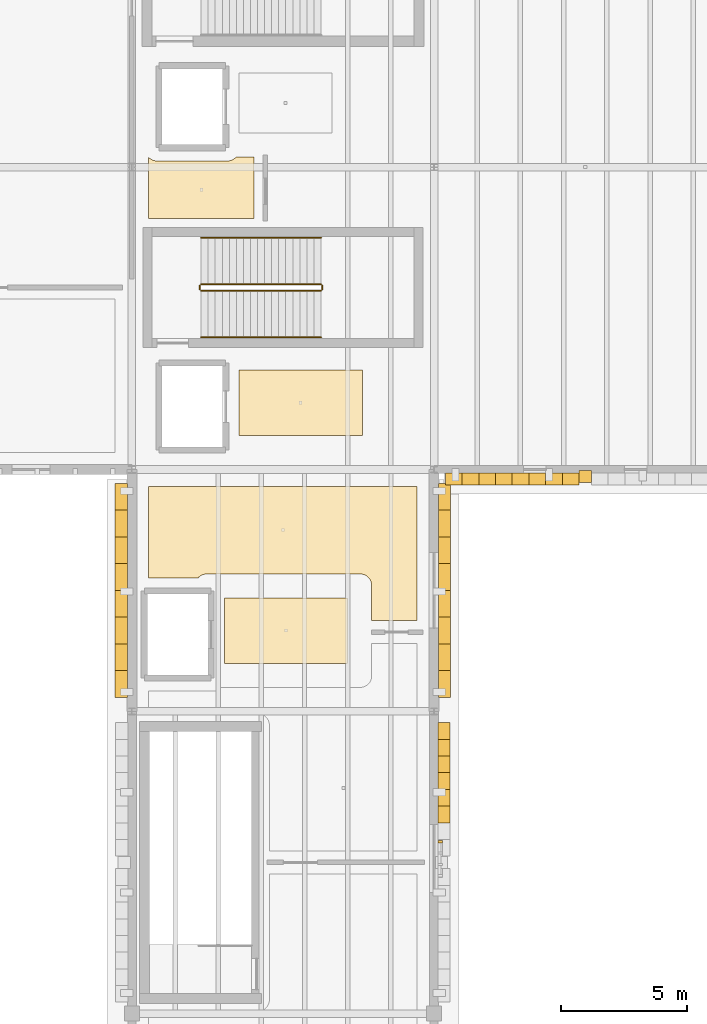
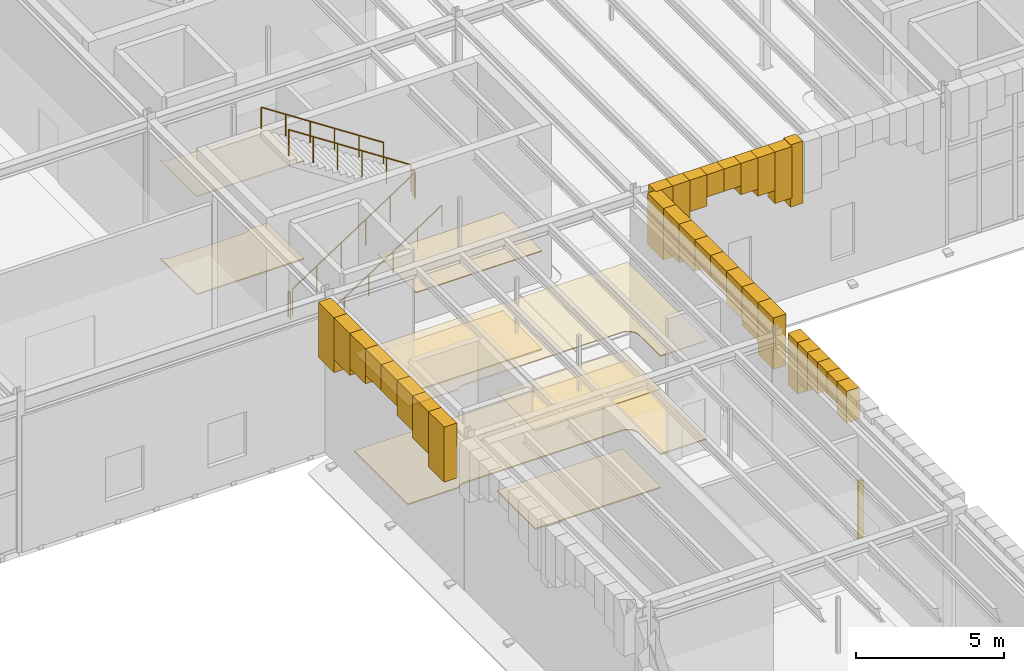
# One storey, part 57 of 62: 40 coverings, 6 railings.
"""IFC4 building model written with IfcOpenShell, lengths in metres."""

from ifc_helpers import new_model, si_unit, direction, frame, origin, origin_2d, place, context, subcontext, project, spatial, polyline, circle, outline, extrude, material, layer, layer_set, type_object, element, save


model = new_model("IFC4")

# Units and contexts
model_context = context("Model", 3, precision=1e-05, world=origin(), true_north=direction((0.0, 1.0)))
body_context = subcontext(model_context, "Body", "Model", "MODEL_VIEW")
ifc_project = project(units=[si_unit("LENGTHUNIT", "METRE"), si_unit("AREAUNIT", "SQUARE_METRE"), si_unit("VOLUMEUNIT", "CUBIC_METRE"), si_unit("PLANEANGLEUNIT", "RADIAN"), si_unit("MASSUNIT", "GRAM", prefix="KILO")], contexts=[model_context])

# Site, building, storey
site_placement = place(None, origin())
site = spatial("IfcSite", under=ifc_project, at=site_placement, CompositionType="ELEMENT")
building_placement = place(site_placement, origin())
building = spatial("IfcBuilding", under=site, at=building_placement, Name="Zlatogorsky Bluff Art Gallery", CompositionType="ELEMENT")
storey_placement = place(building_placement, frame((0.0, 0.0, 16.800048828125)))
storey = spatial("IfcBuildingStorey", under=building, at=storey_placement, Name="L03", CompositionType="ELEMENT", Elevation=16.800048828125)

# Coverings
ifc_material_1 = material(Name="Perforated Gypsum Acoustic Board", Category="gypsum")
ifc_layer_1 = layer(ifc_material_1, 0.0400390625)
ifc_layer_set_1 = layer_set([ifc_layer_1], Name="Acoustic Gallery Ceiling CLG-01")
covering_type_1 = type_object("IfcCoveringType", Name="Acoustic Gallery Ceiling CLG-01", PredefinedType="CEILING", material=ifc_layer_set_1)
covering_1_placement = place(storey_placement, frame((0.0, 0.0, 4.050048828125)))
element("IfcCovering", 1, at=covering_1_placement, inside=storey, type_object=covering_type_1, Name="Firefighting Lift Lobby FL-1 acoustic ceiling", PredefinedType="CEILING", context=body_context, shape_type="SweptSolid", body=[
    extrude(outline(polyline([(128.570068359375, 78.89990234375), (128.570068359375, 76.300048828125), (123.669921875, 76.300048828125), (123.669921875, 78.89990234375), (128.570068359375, 78.89990234375)])), origin(), (0.0, 0.0, 1.0), 0.039794921875),
])
covering_2_placement = place(storey_placement, frame((0.0, 0.0, 4.050048828125)))
element("IfcCovering", 2, at=covering_2_placement, inside=storey, type_object=covering_type_1, Name="Firefighting Lift Lobby FL-2 acoustic ceiling", PredefinedType="CEILING", context=body_context, shape_type="SweptSolid", body=[
    extrude(outline(polyline([(129.14990234375, 87.949951171875), (129.14990234375, 85.35009765625), (124.25, 85.35009765625), (124.25, 87.949951171875), (129.14990234375, 87.949951171875)])), origin(), (0.0, 0.0, 1.0), 0.039794921875),
])
covering_3_placement = place(storey_placement, frame((0.0, 0.0, 4.050048828125)))
element("IfcCovering", 3, at=covering_3_placement, inside=storey, type_object=covering_type_1, Name="Curatorial Archive Reading Room acoustic ceiling", PredefinedType="CEILING", context=body_context, shape_type="SweptSolid", body=[
    extrude(outline(polyline([(120.669921875, 83.330078125), (131.330078125, 83.330078125), (131.330078125, 77.9951171875), (129.52001953125, 77.9951171875), (129.52001953125, 79.39990234375), (129.517822265625, 79.444091796875), (129.511474609375, 79.48779296875), (129.50048828125, 79.530517578125), (129.485595703125, 79.572265625), (129.466796875, 79.612060546875), (129.444091796875, 79.64990234375), (129.41796875, 79.685546875), (129.38818359375, 79.71826171875), (129.35546875, 79.747802734375), (129.320068359375, 79.774169921875), (129.281982421875, 79.796875), (129.2421875, 79.815673828125), (129.20068359375, 79.83056640625), (129.15771484375, 79.84130859375), (129.114013671875, 79.847900390625), (129.070068359375, 79.85009765625), (122.969970703125, 79.85009765625), (122.92578125, 79.847900390625), (122.882080078125, 79.84130859375), (122.83935546875, 79.83056640625), (122.7978515625, 79.815673828125), (122.7578125, 79.796875), (122.719970703125, 79.774169921875), (122.6845703125, 79.747802734375), (122.65185546875, 79.71826171875), (122.63525390625, 79.699951171875), (120.669921875, 79.699951171875), (120.669921875, 83.330078125)])), origin(), (0.0, 0.0, 1.0), 0.039794921875),
])
covering_4_placement = place(storey_placement, frame((0.0, 0.0, 4.050048828125)))
element("IfcCovering", 4, at=covering_4_placement, inside=storey, type_object=covering_type_1, Name="Curatorial and Registrar Suite acoustic ceiling", PredefinedType="CEILING", context=body_context, shape_type="SweptSolid", body=[
    extrude(outline(polyline([(120.669921875, 96.394775390625), (120.681884765625, 96.3818359375), (120.714599609375, 96.35205078125), (120.75, 96.32568359375), (120.787841796875, 96.302978515625), (120.827880859375, 96.2841796875), (120.869384765625, 96.269287109375), (120.912109375, 96.258544921875), (120.955810546875, 96.252197265625), (121.0, 96.25), (123.800048828125, 96.25), (123.843994140625, 96.252197265625), (123.8876953125, 96.258544921875), (123.9306640625, 96.269287109375), (123.97216796875, 96.2841796875), (124.01220703125, 96.302978515625), (124.050048828125, 96.32568359375), (124.08544921875, 96.35205078125), (124.1181640625, 96.3818359375), (124.134765625, 96.39990234375), (124.85498046875, 96.39990234375), (124.85498046875, 93.9599609375), (120.669921875, 93.9599609375), (120.669921875, 96.394775390625)])), origin(), (0.0, 0.0, 1.0), 0.039794921875),
])
ifc_material_2 = material(Name="Honed Red Agra-Tone Quartzitic Sandstone", Category="masonry")
ifc_layer_2 = layer(ifc_material_2, 0.1201171875)
ifc_layer_set_2 = layer_set([ifc_layer_2], Name="Carved Sandstone Cladding CLD-02")
covering_type_2 = type_object("IfcCoveringType", Name="Carved Sandstone Cladding CLD-02", PredefinedType="CLADDING", material=ifc_layer_set_2)
covering_5_placement = place(storey_placement, frame((0.0, 0.0, 5.2666015625)))
element("IfcCovering", 5, at=covering_5_placement, inside=storey, type_object=covering_type_2, Name="Pointed Mughal arch voussoir spandrel WARCH-L03-E-10-06-B.3", PredefinedType="CLADDING", context=body_context, shape_type="SweptSolid", body=[
    extrude(outline(polyline([(132.14990234375, 69.97509765625), (132.14990234375, 70.637451171875), (132.639892578125, 70.637451171875), (132.639892578125, 69.97509765625), (132.14990234375, 69.97509765625)])), origin(), (0.0, 0.0, 1.0), 1.29345703125),
])
covering_6_placement = place(storey_placement, frame((0.0, 0.0, 5.63525390625)))
element("IfcCovering", 6, at=covering_6_placement, inside=storey, type_object=covering_type_2, Name="Pointed Mughal arch voussoir spandrel WARCH-L03-E-10-06-B.4", PredefinedType="CLADDING", context=body_context, shape_type="SweptSolid", body=[
    extrude(outline(polyline([(132.14990234375, 70.637451171875), (132.14990234375, 71.300048828125), (132.639892578125, 71.300048828125), (132.639892578125, 70.637451171875), (132.14990234375, 70.637451171875)])), origin(), (0.0, 0.0, 1.0), 0.9248046875),
])
covering_7_placement = place(storey_placement, frame((0.0, 0.0, 5.63525390625)))
element("IfcCovering", 7, at=covering_7_placement, inside=storey, type_object=covering_type_2, Name="Pointed Mughal arch voussoir spandrel WARCH-L03-E-10-06-B.5", PredefinedType="CLADDING", context=body_context, shape_type="SweptSolid", body=[
    extrude(outline(polyline([(132.14990234375, 71.300048828125), (132.14990234375, 71.96240234375), (132.639892578125, 71.96240234375), (132.639892578125, 71.300048828125), (132.14990234375, 71.300048828125)])), origin(), (0.0, 0.0, 1.0), 0.9248046875),
])
covering_8_placement = place(storey_placement, frame((0.0, 0.0, 5.2666015625)))
element("IfcCovering", 8, at=covering_8_placement, inside=storey, type_object=covering_type_2, Name="Pointed Mughal arch voussoir spandrel WARCH-L03-E-10-06-B.6", PredefinedType="CLADDING", context=body_context, shape_type="SweptSolid", body=[
    extrude(outline(polyline([(132.14990234375, 71.96240234375), (132.14990234375, 72.625), (132.639892578125, 72.625), (132.639892578125, 71.96240234375), (132.14990234375, 71.96240234375)])), origin(), (0.0, 0.0, 1.0), 1.29345703125),
])
covering_9_placement = place(storey_placement, frame((0.0, 0.0, 4.9736328125)))
element("IfcCovering", 9, at=covering_9_placement, inside=storey, type_object=covering_type_2, Name="Pointed Mughal arch voussoir spandrel WARCH-L03-E-10-06-B.7", PredefinedType="CLADDING", context=body_context, shape_type="SweptSolid", body=[
    extrude(outline(polyline([(132.14990234375, 72.625), (132.14990234375, 73.28759765625), (132.639892578125, 73.28759765625), (132.639892578125, 72.625), (132.14990234375, 72.625)])), origin(), (0.0, 0.0, 1.0), 1.58642578125),
])
covering_10_placement = place(storey_placement, frame((0.0, 0.0, 4.4423828125)))
element("IfcCovering", 10, at=covering_10_placement, inside=storey, type_object=covering_type_2, Name="Pointed Mughal arch voussoir spandrel WARCH-L03-E-10-06-B.8", PredefinedType="CLADDING", context=body_context, shape_type="SweptSolid", body=[
    extrude(outline(polyline([(132.14990234375, 73.28759765625), (132.14990234375, 73.949951171875), (132.639892578125, 73.949951171875), (132.639892578125, 73.28759765625), (132.14990234375, 73.28759765625)])), origin(), (0.0, 0.0, 1.0), 2.11767578125),
])
covering_11_placement = place(storey_placement, frame((0.0, 0.0, 0.949951171875)))
element("IfcCovering", 11, at=covering_11_placement, inside=storey, type_object=covering_type_2, Name="Pierced sandstone jali lattice bar L03.E.10.6", PredefinedType="CLADDING", context=body_context, shape_type="SweptSolid", body=[
    extrude(outline(polyline([(132.14990234375, 69.177490234375), (132.14990234375, 69.267578125), (132.340087890625, 69.267578125), (132.340087890625, 69.177490234375), (132.14990234375, 69.177490234375)])), origin(), (0.0, 0.0, 1.0), 2.39990234375),
])
covering_12_placement = place(storey_placement, frame((0.0, 0.0, 4.292236328125)))
element("IfcCovering", 12, at=covering_12_placement, inside=storey, type_object=covering_type_2, Name="Pointed Mughal arch voussoir spandrel WARCH-L03-W-10-07-A.1", PredefinedType="CLADDING", context=body_context, shape_type="SweptSolid", body=[
    extrude(outline(polyline([(119.340087890625, 74.949951171875), (119.340087890625, 76.012451171875), (119.830078125, 76.012451171875), (119.830078125, 74.949951171875), (119.340087890625, 74.949951171875)])), origin(), (0.0, 0.0, 1.0), 2.267822265625),
])
covering_13_placement = place(storey_placement, frame((0.0, 0.0, 4.82373046875)))
element("IfcCovering", 13, at=covering_13_placement, inside=storey, type_object=covering_type_2, Name="Pointed Mughal arch voussoir spandrel WARCH-L03-W-10-07-A.2", PredefinedType="CLADDING", context=body_context, shape_type="SweptSolid", body=[
    extrude(outline(polyline([(119.340087890625, 76.012451171875), (119.340087890625, 77.074951171875), (119.830078125, 77.074951171875), (119.830078125, 76.012451171875), (119.340087890625, 76.012451171875)])), origin(), (0.0, 0.0, 1.0), 1.736328125),
])
covering_14_placement = place(storey_placement, frame((0.0, 0.0, 5.11669921875)))
element("IfcCovering", 14, at=covering_14_placement, inside=storey, type_object=covering_type_2, Name="Pointed Mughal arch voussoir spandrel WARCH-L03-W-10-07-A.3", PredefinedType="CLADDING", context=body_context, shape_type="SweptSolid", body=[
    extrude(outline(polyline([(119.340087890625, 77.074951171875), (119.340087890625, 78.137451171875), (119.830078125, 78.137451171875), (119.830078125, 77.074951171875), (119.340087890625, 77.074951171875)])), origin(), (0.0, 0.0, 1.0), 1.443359375),
])
covering_15_placement = place(storey_placement, frame((0.0, 0.0, 5.4853515625)))
element("IfcCovering", 15, at=covering_15_placement, inside=storey, type_object=covering_type_2, Name="Pointed Mughal arch voussoir spandrel WARCH-L03-W-10-07-A.4", PredefinedType="CLADDING", context=body_context, shape_type="SweptSolid", body=[
    extrude(outline(polyline([(119.340087890625, 78.137451171875), (119.340087890625, 79.199951171875), (119.830078125, 79.199951171875), (119.830078125, 78.137451171875), (119.340087890625, 78.137451171875)])), origin(), (0.0, 0.0, 1.0), 1.07470703125),
])
covering_16_placement = place(storey_placement, frame((0.0, 0.0, 5.4853515625)))
element("IfcCovering", 16, at=covering_16_placement, inside=storey, type_object=covering_type_2, Name="Pointed Mughal arch voussoir spandrel WARCH-L03-W-10-07-A.5", PredefinedType="CLADDING", context=body_context, shape_type="SweptSolid", body=[
    extrude(outline(polyline([(119.340087890625, 79.199951171875), (119.340087890625, 80.262451171875), (119.830078125, 80.262451171875), (119.830078125, 79.199951171875), (119.340087890625, 79.199951171875)])), origin(), (0.0, 0.0, 1.0), 1.07470703125),
])
covering_17_placement = place(storey_placement, frame((0.0, 0.0, 5.11669921875)))
element("IfcCovering", 17, at=covering_17_placement, inside=storey, type_object=covering_type_2, Name="Pointed Mughal arch voussoir spandrel WARCH-L03-W-10-07-A.6", PredefinedType="CLADDING", context=body_context, shape_type="SweptSolid", body=[
    extrude(outline(polyline([(119.340087890625, 80.262451171875), (119.340087890625, 81.324951171875), (119.830078125, 81.324951171875), (119.830078125, 80.262451171875), (119.340087890625, 80.262451171875)])), origin(), (0.0, 0.0, 1.0), 1.443359375),
])
covering_18_placement = place(storey_placement, frame((0.0, 0.0, 4.82373046875)))
element("IfcCovering", 18, at=covering_18_placement, inside=storey, type_object=covering_type_2, Name="Pointed Mughal arch voussoir spandrel WARCH-L03-W-10-07-A.7", PredefinedType="CLADDING", context=body_context, shape_type="SweptSolid", body=[
    extrude(outline(polyline([(119.340087890625, 81.324951171875), (119.340087890625, 82.387451171875), (119.830078125, 82.387451171875), (119.830078125, 81.324951171875), (119.340087890625, 81.324951171875)])), origin(), (0.0, 0.0, 1.0), 1.736328125),
])
covering_19_placement = place(storey_placement, frame((0.0, 0.0, 4.292236328125)))
element("IfcCovering", 19, at=covering_19_placement, inside=storey, type_object=covering_type_2, Name="Pointed Mughal arch voussoir spandrel WARCH-L03-W-10-07-A.8", PredefinedType="CLADDING", context=body_context, shape_type="SweptSolid", body=[
    extrude(outline(polyline([(119.340087890625, 82.387451171875), (119.340087890625, 83.449951171875), (119.830078125, 83.449951171875), (119.830078125, 82.387451171875), (119.340087890625, 82.387451171875)])), origin(), (0.0, 0.0, 1.0), 2.267822265625),
])
covering_20_placement = place(storey_placement, frame((0.0, 0.0, 4.4423828125)))
element("IfcCovering", 20, at=covering_20_placement, inside=storey, type_object=covering_type_2, Name="Pointed Mughal arch voussoir spandrel WARCH-L03-E-10-07-A.1", PredefinedType="CLADDING", context=body_context, shape_type="SweptSolid", body=[
    extrude(outline(polyline([(132.169921875, 74.949951171875), (132.169921875, 76.012451171875), (132.659912109375, 76.012451171875), (132.659912109375, 74.949951171875), (132.169921875, 74.949951171875)])), origin(), (0.0, 0.0, 1.0), 2.11767578125),
])
covering_21_placement = place(storey_placement, frame((0.0, 0.0, 4.9736328125)))
element("IfcCovering", 21, at=covering_21_placement, inside=storey, type_object=covering_type_2, Name="Pointed Mughal arch voussoir spandrel WARCH-L03-E-10-07-A.2", PredefinedType="CLADDING", context=body_context, shape_type="SweptSolid", body=[
    extrude(outline(polyline([(132.169921875, 76.012451171875), (132.169921875, 77.074951171875), (132.659912109375, 77.074951171875), (132.659912109375, 76.012451171875), (132.169921875, 76.012451171875)])), origin(), (0.0, 0.0, 1.0), 1.58642578125),
])
covering_22_placement = place(storey_placement, frame((0.0, 0.0, 5.2666015625)))
element("IfcCovering", 22, at=covering_22_placement, inside=storey, type_object=covering_type_2, Name="Pointed Mughal arch voussoir spandrel WARCH-L03-E-10-07-A.3", PredefinedType="CLADDING", context=body_context, shape_type="SweptSolid", body=[
    extrude(outline(polyline([(132.169921875, 77.074951171875), (132.169921875, 78.137451171875), (132.659912109375, 78.137451171875), (132.659912109375, 77.074951171875), (132.169921875, 77.074951171875)])), origin(), (0.0, 0.0, 1.0), 1.29345703125),
])
covering_23_placement = place(storey_placement, frame((0.0, 0.0, 5.63525390625)))
element("IfcCovering", 23, at=covering_23_placement, inside=storey, type_object=covering_type_2, Name="Pointed Mughal arch voussoir spandrel WARCH-L03-E-10-07-A.4", PredefinedType="CLADDING", context=body_context, shape_type="SweptSolid", body=[
    extrude(outline(polyline([(132.169921875, 78.137451171875), (132.169921875, 79.199951171875), (132.659912109375, 79.199951171875), (132.659912109375, 78.137451171875), (132.169921875, 78.137451171875)])), origin(), (0.0, 0.0, 1.0), 0.9248046875),
])
covering_24_placement = place(storey_placement, frame((0.0, 0.0, 5.63525390625)))
element("IfcCovering", 24, at=covering_24_placement, inside=storey, type_object=covering_type_2, Name="Pointed Mughal arch voussoir spandrel WARCH-L03-E-10-07-A.5", PredefinedType="CLADDING", context=body_context, shape_type="SweptSolid", body=[
    extrude(outline(polyline([(132.169921875, 79.199951171875), (132.169921875, 80.262451171875), (132.659912109375, 80.262451171875), (132.659912109375, 79.199951171875), (132.169921875, 79.199951171875)])), origin(), (0.0, 0.0, 1.0), 0.9248046875),
])
covering_25_placement = place(storey_placement, frame((0.0, 0.0, 5.2666015625)))
element("IfcCovering", 25, at=covering_25_placement, inside=storey, type_object=covering_type_2, Name="Pointed Mughal arch voussoir spandrel WARCH-L03-E-10-07-A.6", PredefinedType="CLADDING", context=body_context, shape_type="SweptSolid", body=[
    extrude(outline(polyline([(132.169921875, 80.262451171875), (132.169921875, 81.324951171875), (132.659912109375, 81.324951171875), (132.659912109375, 80.262451171875), (132.169921875, 80.262451171875)])), origin(), (0.0, 0.0, 1.0), 1.29345703125),
])
covering_26_placement = place(storey_placement, frame((0.0, 0.0, 4.9736328125)))
element("IfcCovering", 26, at=covering_26_placement, inside=storey, type_object=covering_type_2, Name="Pointed Mughal arch voussoir spandrel WARCH-L03-E-10-07-A.7", PredefinedType="CLADDING", context=body_context, shape_type="SweptSolid", body=[
    extrude(outline(polyline([(132.169921875, 81.324951171875), (132.169921875, 82.387451171875), (132.659912109375, 82.387451171875), (132.659912109375, 81.324951171875), (132.169921875, 81.324951171875)])), origin(), (0.0, 0.0, 1.0), 1.58642578125),
])
covering_27_placement = place(storey_placement, frame((0.0, 0.0, 4.4423828125)))
element("IfcCovering", 27, at=covering_27_placement, inside=storey, type_object=covering_type_2, Name="Pointed Mughal arch voussoir spandrel WARCH-L03-E-10-07-A.8", PredefinedType="CLADDING", context=body_context, shape_type="SweptSolid", body=[
    extrude(outline(polyline([(132.169921875, 82.387451171875), (132.169921875, 83.449951171875), (132.659912109375, 83.449951171875), (132.659912109375, 82.387451171875), (132.169921875, 82.387451171875)])), origin(), (0.0, 0.0, 1.0), 2.11767578125),
])
covering_28_placement = place(storey_placement, frame((0.0, 0.0, 4.0)))
element("IfcCovering", 28, at=covering_28_placement, inside=storey, type_object=covering_type_2, Name="Mughal blind-arch sandstone pilaster L03.S.11.8", PredefinedType="CLADDING", context=body_context, shape_type="SweptSolid", body=[
    extrude(outline(polyline([(137.760009765625, 83.47998046875), (138.239990234375, 83.47998046875), (138.239990234375, 83.9599609375), (137.760009765625, 83.9599609375), (137.760009765625, 83.47998046875)])), origin(), (0.0, 0.0, 1.0), 2.56005859375),
])
covering_29_placement = place(storey_placement, frame((0.0, 0.0, 4.4423828125)))
element("IfcCovering", 29, at=covering_29_placement, inside=storey, type_object=covering_type_2, Name="Pointed Mughal arch voussoir spandrel WARCH-L03-S-11-08-A.1", PredefinedType="CLADDING", context=body_context, shape_type="SweptSolid", body=[
    extrude(outline(polyline([(132.449951171875, 83.3798828125), (133.112548828125, 83.3798828125), (133.112548828125, 83.8701171875), (132.449951171875, 83.8701171875), (132.449951171875, 83.3798828125)])), origin(), (0.0, 0.0, 1.0), 2.11767578125),
])
covering_30_placement = place(storey_placement, frame((0.0, 0.0, 4.9736328125)))
element("IfcCovering", 30, at=covering_30_placement, inside=storey, type_object=covering_type_2, Name="Pointed Mughal arch voussoir spandrel WARCH-L03-S-11-08-A.2", PredefinedType="CLADDING", context=body_context, shape_type="SweptSolid", body=[
    extrude(outline(polyline([(133.112548828125, 83.3798828125), (133.77490234375, 83.3798828125), (133.77490234375, 83.8701171875), (133.112548828125, 83.8701171875), (133.112548828125, 83.3798828125)])), origin(), (0.0, 0.0, 1.0), 1.58642578125),
])
covering_31_placement = place(storey_placement, frame((0.0, 0.0, 5.2666015625)))
element("IfcCovering", 31, at=covering_31_placement, inside=storey, type_object=covering_type_2, Name="Pointed Mughal arch voussoir spandrel WARCH-L03-S-11-08-A.3", PredefinedType="CLADDING", context=body_context, shape_type="SweptSolid", body=[
    extrude(outline(polyline([(133.77490234375, 83.3798828125), (134.4375, 83.3798828125), (134.4375, 83.8701171875), (133.77490234375, 83.8701171875), (133.77490234375, 83.3798828125)])), origin(), (0.0, 0.0, 1.0), 1.29345703125),
])
covering_32_placement = place(storey_placement, frame((0.0, 0.0, 5.63525390625)))
element("IfcCovering", 32, at=covering_32_placement, inside=storey, type_object=covering_type_2, Name="Pointed Mughal arch voussoir spandrel WARCH-L03-S-11-08-A.4", PredefinedType="CLADDING", context=body_context, shape_type="SweptSolid", body=[
    extrude(outline(polyline([(134.4375, 83.3798828125), (135.10009765625, 83.3798828125), (135.10009765625, 83.8701171875), (134.4375, 83.8701171875), (134.4375, 83.3798828125)])), origin(), (0.0, 0.0, 1.0), 0.9248046875),
])
covering_33_placement = place(storey_placement, frame((0.0, 0.0, 5.63525390625)))
element("IfcCovering", 33, at=covering_33_placement, inside=storey, type_object=covering_type_2, Name="Pointed Mughal arch voussoir spandrel WARCH-L03-S-11-08-A.5", PredefinedType="CLADDING", context=body_context, shape_type="SweptSolid", body=[
    extrude(outline(polyline([(135.10009765625, 83.3798828125), (135.762451171875, 83.3798828125), (135.762451171875, 83.8701171875), (135.10009765625, 83.8701171875), (135.10009765625, 83.3798828125)])), origin(), (0.0, 0.0, 1.0), 0.9248046875),
])
covering_34_placement = place(storey_placement, frame((0.0, 0.0, 5.2666015625)))
element("IfcCovering", 34, at=covering_34_placement, inside=storey, type_object=covering_type_2, Name="Pointed Mughal arch voussoir spandrel WARCH-L03-S-11-08-A.6", PredefinedType="CLADDING", context=body_context, shape_type="SweptSolid", body=[
    extrude(outline(polyline([(135.762451171875, 83.3798828125), (136.425048828125, 83.3798828125), (136.425048828125, 83.8701171875), (135.762451171875, 83.8701171875), (135.762451171875, 83.3798828125)])), origin(), (0.0, 0.0, 1.0), 1.29345703125),
])
covering_35_placement = place(storey_placement, frame((0.0, 0.0, 4.9736328125)))
element("IfcCovering", 35, at=covering_35_placement, inside=storey, type_object=covering_type_2, Name="Pointed Mughal arch voussoir spandrel WARCH-L03-S-11-08-A.7", PredefinedType="CLADDING", context=body_context, shape_type="SweptSolid", body=[
    extrude(outline(polyline([(136.425048828125, 83.3798828125), (137.08740234375, 83.3798828125), (137.08740234375, 83.8701171875), (136.425048828125, 83.8701171875), (136.425048828125, 83.3798828125)])), origin(), (0.0, 0.0, 1.0), 1.58642578125),
])
covering_36_placement = place(storey_placement, frame((0.0, 0.0, 4.4423828125)))
element("IfcCovering", 36, at=covering_36_placement, inside=storey, type_object=covering_type_2, Name="Pointed Mughal arch voussoir spandrel WARCH-L03-S-11-08-A.8", PredefinedType="CLADDING", context=body_context, shape_type="SweptSolid", body=[
    extrude(outline(polyline([(137.08740234375, 83.3798828125), (137.75, 83.3798828125), (137.75, 83.8701171875), (137.08740234375, 83.8701171875), (137.08740234375, 83.3798828125)])), origin(), (0.0, 0.0, 1.0), 2.11767578125),
])

# Railings
ifc_material_3 = material(Name="Architectural Bronze and Laminated Glass", Category="glass")
railing_type_1 = type_object("IfcRailingType", Name="Gallery Guard Rail 1100mm", PredefinedType="GUARDRAIL", material=ifc_material_3)
railing_1_placement = place(storey_placement, frame((122.75, 91.10009765625, 0.183349609375)))
element("IfcRailing", 37, at=railing_1_placement, inside=storey, type_object=railing_type_1, Name="L03 ST-02 stair guard 1", PredefinedType="GUARDRAIL", context=body_context, shape_type="SweptSolid", body=[
    extrude(circle(Radius=0.02392578125, at=origin_2d()), frame((0.0, 0.0, 1.076171875), z_axis=(0.836616421643, 0.0, 0.547789159291), x_axis=(0.0, 1.0, 0.0)), (0.0, 0.0, 1.0), 5.689697265625),
    extrude(circle(Radius=0.02099609375, at=origin_2d()), origin(), (0.0, 0.0, 1.0), 1.052001953125),
    extrude(circle(Radius=0.02099609375, at=origin_2d()), frame((0.951904296875, 0.0, 0.623291015625)), (0.0, 0.0, 1.0), 1.052001953125),
    extrude(circle(Radius=0.02099609375, at=origin_2d()), frame((1.904052734375, 0.0, 1.24658203125)), (0.0, 0.0, 1.0), 1.052001953125),
    extrude(circle(Radius=0.02099609375, at=origin_2d()), frame((2.85595703125, 0.0, 1.8701171875)), (0.0, 0.0, 1.0), 1.052001953125),
    extrude(circle(Radius=0.02099609375, at=origin_2d()), frame((3.80810546875, 0.0, 2.493408203125)), (0.0, 0.0, 1.0), 1.052001953125),
    extrude(circle(Radius=0.02099609375, at=origin_2d()), frame((4.760009765625, 0.0, 3.11669921875)), (0.0, 0.0, 1.0), 1.052001953125),
])
railing_2_placement = place(storey_placement, frame((127.56005859375, 91.14990234375, 3.300048828125)))
element("IfcRailing", 38, at=railing_2_placement, inside=storey, type_object=railing_type_1, Name="L03 ST-02 stair guard 2", PredefinedType="GUARDRAIL", context=body_context, shape_type="SweptSolid", body=[
    extrude(circle(Radius=0.02392578125, at=origin_2d()), frame((0.0, 0.0, 1.076171875), z_axis=(0.0, 1.0, 0.0), x_axis=(-1.0, 0.0, 0.0)), (0.0, 0.0, 1.0), 0.150146484375),
    extrude(circle(Radius=0.02099609375, at=origin_2d()), origin(), (0.0, 0.0, 1.0), 1.052001953125),
    extrude(circle(Radius=0.02099609375, at=origin_2d()), frame((0.0, 0.150146484375, 0.0)), (0.0, 0.0, 1.0), 1.052001953125),
])
railing_3_placement = place(storey_placement, frame((127.510009765625, 91.35009765625, 3.4833984375)))
element("IfcRailing", 39, at=railing_3_placement, inside=storey, type_object=railing_type_1, Name="L03 ST-02 stair guard 3", PredefinedType="GUARDRAIL", context=body_context, shape_type="SweptSolid", body=[
    extrude(circle(Radius=0.02392578125, at=origin_2d()), frame((0.0, 0.0, 1.076171875), z_axis=(-0.836636086768, 0.0, 0.547759124358), x_axis=(0.0, -1.0, 0.0)), (0.0, 0.0, 1.0), 5.689453125),
    extrude(circle(Radius=0.02099609375, at=origin_2d()), origin(), (0.0, 0.0, 1.0), 1.052001953125),
    extrude(circle(Radius=0.02099609375, at=origin_2d()), frame((-0.951904296875, 0.0, 0.623291015625)), (0.0, 0.0, 1.0), 1.052001953125),
    extrude(circle(Radius=0.02099609375, at=origin_2d()), frame((-1.904052734375, 0.0, 1.24658203125)), (0.0, 0.0, 1.0), 1.052001953125),
    extrude(circle(Radius=0.02099609375, at=origin_2d()), frame((-2.85595703125, 0.0, 1.869873046875)), (0.0, 0.0, 1.0), 1.052001953125),
    extrude(circle(Radius=0.02099609375, at=origin_2d()), frame((-3.80810546875, 0.0, 2.4931640625)), (0.0, 0.0, 1.0), 1.052001953125),
    extrude(circle(Radius=0.02099609375, at=origin_2d()), frame((-4.760009765625, 0.0, 3.116455078125)), (0.0, 0.0, 1.0), 1.052001953125),
])
railing_4_placement = place(storey_placement, frame((122.699951171875, 91.14990234375, 0.0)))
element("IfcRailing", 40, at=railing_4_placement, inside=storey, type_object=railing_type_1, Name="L03 ST-02 stair guard 4", PredefinedType="GUARDRAIL", context=body_context, shape_type="SweptSolid", body=[
    extrude(circle(Radius=0.02392578125, at=origin_2d()), frame((0.0, 0.0, 1.076171875), z_axis=(0.0, 1.0, 0.0), x_axis=(-1.0, 0.0, 0.0)), (0.0, 0.0, 1.0), 0.150146484375),
    extrude(circle(Radius=0.02099609375, at=origin_2d()), origin(), (0.0, 0.0, 1.0), 1.052001953125),
    extrude(circle(Radius=0.02099609375, at=origin_2d()), frame((0.0, 0.150146484375, 0.0)), (0.0, 0.0, 1.0), 1.052001953125),
])
ifc_material_4 = material(Name="Brushed Stainless Steel", Category="steel")
railing_type_2 = type_object("IfcRailingType", Name="Stair Pitch Handrail 900mm", PredefinedType="HANDRAIL", material=ifc_material_4)
railing_5_placement = place(storey_placement, frame((122.75, 89.25, 0.183349609375)))
element("IfcRailing", 41, at=railing_5_placement, inside=storey, type_object=railing_type_2, Name="L03 ST-02 stair handrail 1", PredefinedType="HANDRAIL", context=body_context, shape_type="SweptSolid", body=[
    extrude(circle(Radius=0.02392578125, at=origin_2d()), frame((0.0, 0.0, 0.8759765625), z_axis=(0.836616421643, 0.0, 0.547789159291), x_axis=(0.0, 1.0, 0.0)), (0.0, 0.0, 1.0), 5.689697265625),
    extrude(circle(Radius=0.02099609375, at=origin_2d()), origin(), (0.0, 0.0, 1.0), 0.851806640625),
    extrude(circle(Radius=0.02099609375, at=origin_2d()), frame((0.951904296875, 0.0, 0.623291015625)), (0.0, 0.0, 1.0), 0.851806640625),
    extrude(circle(Radius=0.02099609375, at=origin_2d()), frame((1.904052734375, 0.0, 1.24658203125)), (0.0, 0.0, 1.0), 0.851806640625),
    extrude(circle(Radius=0.02099609375, at=origin_2d()), frame((2.85595703125, 0.0, 1.8701171875)), (0.0, 0.0, 1.0), 0.851806640625),
    extrude(circle(Radius=0.02099609375, at=origin_2d()), frame((3.80810546875, 0.0, 2.493408203125)), (0.0, 0.0, 1.0), 0.851806640625),
    extrude(circle(Radius=0.02099609375, at=origin_2d()), frame((4.760009765625, 0.0, 3.11669921875)), (0.0, 0.0, 1.0), 0.851806640625),
])
railing_6_placement = place(storey_placement, frame((127.510009765625, 93.199951171875, 3.4833984375)))
element("IfcRailing", 42, at=railing_6_placement, inside=storey, type_object=railing_type_2, Name="L03 ST-02 stair handrail 2", PredefinedType="HANDRAIL", context=body_context, shape_type="SweptSolid", body=[
    extrude(circle(Radius=0.02392578125, at=origin_2d()), frame((0.0, 0.0, 0.8759765625), z_axis=(-0.836636086768, 0.0, 0.547759124358), x_axis=(0.0, -1.0, 0.0)), (0.0, 0.0, 1.0), 5.689453125),
    extrude(circle(Radius=0.02099609375, at=origin_2d()), origin(), (0.0, 0.0, 1.0), 0.851806640625),
    extrude(circle(Radius=0.02099609375, at=origin_2d()), frame((-0.951904296875, 0.0, 0.623291015625)), (0.0, 0.0, 1.0), 0.851806640625),
    extrude(circle(Radius=0.02099609375, at=origin_2d()), frame((-1.904052734375, 0.0, 1.24658203125)), (0.0, 0.0, 1.0), 0.851806640625),
    extrude(circle(Radius=0.02099609375, at=origin_2d()), frame((-2.85595703125, 0.0, 1.869873046875)), (0.0, 0.0, 1.0), 0.851806640625),
    extrude(circle(Radius=0.02099609375, at=origin_2d()), frame((-3.80810546875, 0.0, 2.4931640625)), (0.0, 0.0, 1.0), 0.851806640625),
    extrude(circle(Radius=0.02099609375, at=origin_2d()), frame((-4.760009765625, 0.0, 3.116455078125)), (0.0, 0.0, 1.0), 0.851806640625),
])

# Coverings
ifc_material_5 = material(Name="Polished Ural Marble Terrazzo", Category="masonry")
ifc_layer_3 = layer(ifc_material_5, 0.050048828125)
ifc_layer_set_3 = layer_set([ifc_layer_3], Name="Terrazzo Gallery Flooring FLR-01")
covering_type_3 = type_object("IfcCoveringType", Name="Terrazzo Gallery Flooring FLR-01", PredefinedType="FLOORING", material=ifc_layer_set_3)
covering_37_placement = place(storey_placement, origin())
element("IfcCovering", 43, at=covering_37_placement, inside=storey, type_object=covering_type_3, Name="Firefighting Lift Lobby FL-1 terrazzo floor finish", PredefinedType="FLOORING", context=body_context, shape_type="SweptSolid", body=[
    extrude(outline(polyline([(128.570068359375, 78.89990234375), (128.570068359375, 76.300048828125), (123.669921875, 76.300048828125), (123.669921875, 78.89990234375), (128.570068359375, 78.89990234375)])), origin(), (0.0, 0.0, 1.0), 0.050048828125),
])
covering_38_placement = place(storey_placement, origin())
element("IfcCovering", 44, at=covering_38_placement, inside=storey, type_object=covering_type_3, Name="Firefighting Lift Lobby FL-2 terrazzo floor finish", PredefinedType="FLOORING", context=body_context, shape_type="SweptSolid", body=[
    extrude(outline(polyline([(129.14990234375, 87.949951171875), (129.14990234375, 85.35009765625), (124.25, 85.35009765625), (124.25, 87.949951171875), (129.14990234375, 87.949951171875)])), origin(), (0.0, 0.0, 1.0), 0.050048828125),
])
covering_39_placement = place(storey_placement, origin())
element("IfcCovering", 45, at=covering_39_placement, inside=storey, type_object=covering_type_3, Name="Curatorial Archive Reading Room terrazzo floor finish", PredefinedType="FLOORING", context=body_context, shape_type="SweptSolid", body=[
    extrude(outline(polyline([(120.669921875, 83.330078125), (131.330078125, 83.330078125), (131.330078125, 77.9951171875), (129.52001953125, 77.9951171875), (129.52001953125, 79.39990234375), (129.517822265625, 79.444091796875), (129.511474609375, 79.48779296875), (129.50048828125, 79.530517578125), (129.485595703125, 79.572265625), (129.466796875, 79.612060546875), (129.444091796875, 79.64990234375), (129.41796875, 79.685546875), (129.38818359375, 79.71826171875), (129.35546875, 79.747802734375), (129.320068359375, 79.774169921875), (129.281982421875, 79.796875), (129.2421875, 79.815673828125), (129.20068359375, 79.83056640625), (129.15771484375, 79.84130859375), (129.114013671875, 79.847900390625), (129.070068359375, 79.85009765625), (122.969970703125, 79.85009765625), (122.92578125, 79.847900390625), (122.882080078125, 79.84130859375), (122.83935546875, 79.83056640625), (122.7978515625, 79.815673828125), (122.7578125, 79.796875), (122.719970703125, 79.774169921875), (122.6845703125, 79.747802734375), (122.65185546875, 79.71826171875), (122.63525390625, 79.699951171875), (120.669921875, 79.699951171875), (120.669921875, 83.330078125)])), origin(), (0.0, 0.0, 1.0), 0.050048828125),
])
covering_40_placement = place(storey_placement, origin())
element("IfcCovering", 46, at=covering_40_placement, inside=storey, type_object=covering_type_3, Name="Curatorial and Registrar Suite terrazzo floor finish", PredefinedType="FLOORING", context=body_context, shape_type="SweptSolid", body=[
    extrude(outline(polyline([(120.669921875, 96.394775390625), (120.681884765625, 96.3818359375), (120.714599609375, 96.35205078125), (120.75, 96.32568359375), (120.787841796875, 96.302978515625), (120.827880859375, 96.2841796875), (120.869384765625, 96.269287109375), (120.912109375, 96.258544921875), (120.955810546875, 96.252197265625), (121.0, 96.25), (123.800048828125, 96.25), (123.843994140625, 96.252197265625), (123.8876953125, 96.258544921875), (123.9306640625, 96.269287109375), (123.97216796875, 96.2841796875), (124.01220703125, 96.302978515625), (124.050048828125, 96.32568359375), (124.08544921875, 96.35205078125), (124.1181640625, 96.3818359375), (124.134765625, 96.39990234375), (124.85498046875, 96.39990234375), (124.85498046875, 93.9599609375), (120.669921875, 93.9599609375), (120.669921875, 96.394775390625)])), origin(), (0.0, 0.0, 1.0), 0.050048828125),
])

save(model, "model.ifc")
